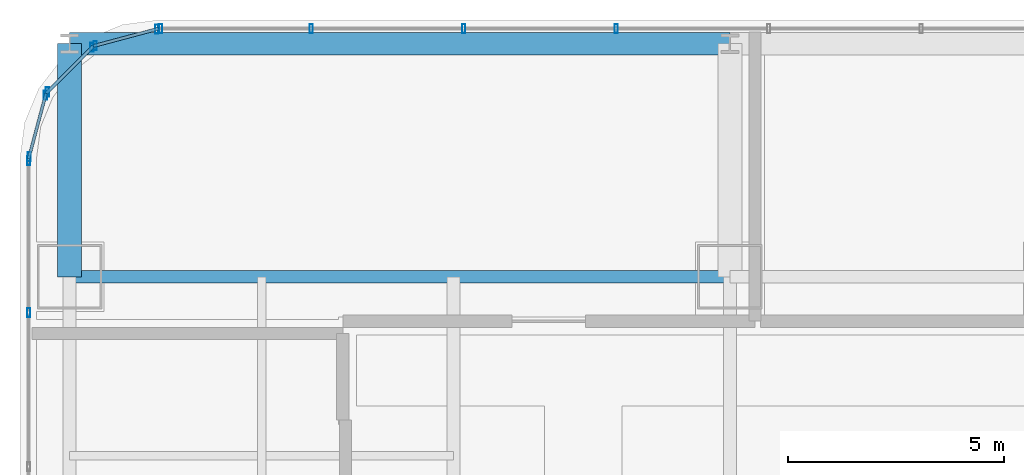
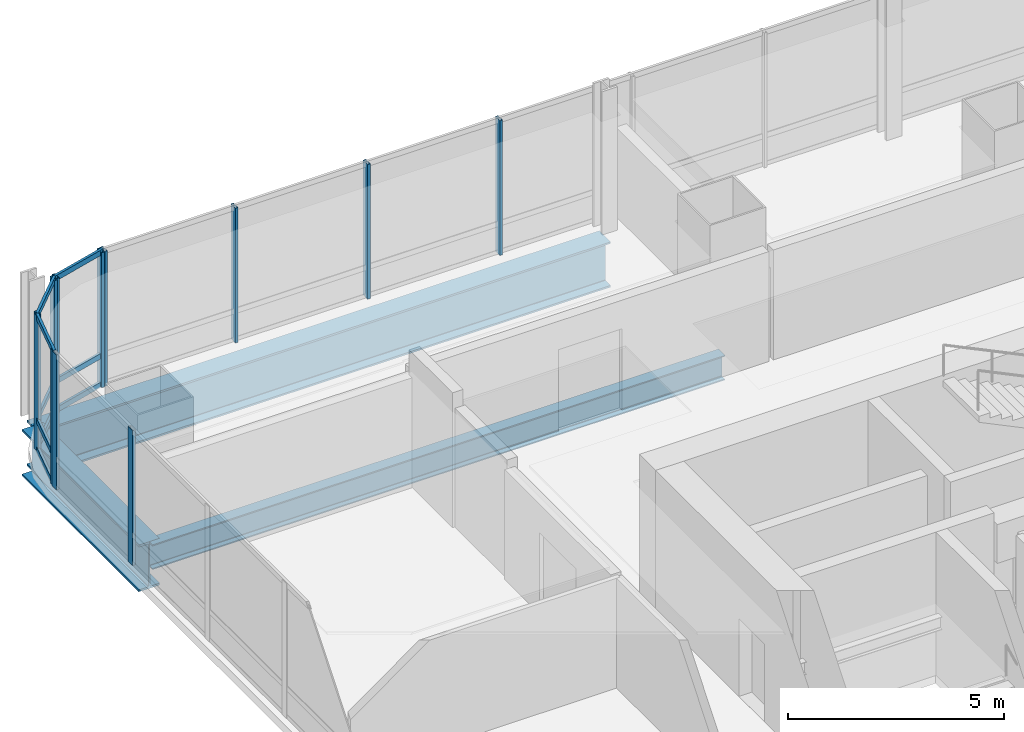
# One storey, part 19 of 34: 21 members, 3 beams, 5 elements without a shape of their own.
"""IFC4 building model written with IfcOpenShell, lengths in metres."""

from ifc_helpers import new_model, si_unit, direction, frame, origin, origin_2d, place, context, subcontext, project, spatial, hollow_rectangle, i_section, extrude, material, material_profile, profile_set, type_object, element, aggregate, save


model = new_model("IFC4")

# Units and contexts
model_context = context("Model", 3, precision=1e-05, world=origin(), true_north=direction((0.0, 1.0)))
body_context = subcontext(model_context, "Body", "Model", "MODEL_VIEW")
ifc_project = project(units=[si_unit("LENGTHUNIT", "METRE"), si_unit("AREAUNIT", "SQUARE_METRE"), si_unit("VOLUMEUNIT", "CUBIC_METRE"), si_unit("PLANEANGLEUNIT", "RADIAN"), si_unit("MASSUNIT", "GRAM", prefix="KILO")], contexts=[model_context])

# Site, building, storey
site_placement = place(None, origin())
site = spatial("IfcSite", under=ifc_project, at=site_placement, CompositionType="ELEMENT")
building_placement = place(site_placement, origin())
building = spatial("IfcBuilding", under=site, at=building_placement, Name="Punatoya Terracotta Tower", CompositionType="ELEMENT")
storey_placement = place(building_placement, frame((0.0, 0.0, 97.050048828125)))
storey = spatial("IfcBuildingStorey", under=building, at=storey_placement, Name="L22", CompositionType="ELEMENT", Elevation=97.050048828125)

# Beams
ifc_material_1 = material(Name="Steel S355", Category="steel")
ifc_material_profile_1 = material_profile(ifc_material_1, i_section(OverallWidth=0.300048828125, OverallDepth=0.699951171875, WebThickness=0.01708984375, FlangeThickness=0.031982421875, FilletRadius=0.01806640625, at=origin_2d()))
ifc_profile_set_1 = profile_set([ifc_material_profile_1], Name="Steel S355")
beam_type_1 = type_object("IfcBeamType", Name="BM-PRI-700", PredefinedType="BEAM", material=ifc_profile_set_1)
beam_1_placement = place(storey_placement, frame((-19.10009765625, 17.5, -0.590087890625), z_axis=(1.0, 0.0, 0.0), x_axis=(0.0, 1.0, 0.0)))
element("IfcBeam", 1, at=beam_1_placement, inside=storey, type_object=beam_type_1, Name="BM-L22-RG-N1", PredefinedType="BEAM", context=body_context, shape_type="SweptSolid", body=[
    extrude(i_section(OverallWidth=0.300048828125, OverallDepth=0.699951171875, WebThickness=0.01708984375, FlangeThickness=0.031982421875, FilletRadius=0.01806640625, at=origin_2d()), origin(), (0.0, 0.0, 1.0), 15.300048828125),
])
ifc_material_2 = material(Name="Steel S460", Category="steel")
ifc_material_profile_2 = material_profile(ifc_material_2, i_section(OverallWidth=0.56005859375, OverallDepth=1.320068359375, WebThickness=0.035888671875, FlangeThickness=0.054931640625, FilletRadius=0.01806640625, at=origin_2d()))
ifc_profile_set_2 = profile_set([ifc_material_profile_2], Name="Steel S460")
beam_type_2 = type_object("IfcBeamType", Name="BM-TG-BLK", PredefinedType="BEAM", material=ifc_profile_set_2)
beam_2_placement = place(storey_placement, frame((-19.10009765625, 17.5, -0.900146484375), z_axis=(0.0, 1.0, 0.0), x_axis=(-1.0, 0.0, 0.0)))
element("IfcBeam", 2, at=beam_2_placement, inside=storey, type_object=beam_type_2, Name="BM-L22-CANT-N1", PredefinedType="BEAM", context=body_context, shape_type="SweptSolid", body=[
    extrude(i_section(OverallWidth=0.56005859375, OverallDepth=1.320068359375, WebThickness=0.035888671875, FlangeThickness=0.054931640625, FilletRadius=0.01806640625, at=origin_2d()), origin(), (0.0, 0.0, 1.0), 5.39990234375),
])
ifc_material_profile_3 = material_profile(ifc_material_2, i_section(OverallWidth=0.52001953125, OverallDepth=1.280029296875, WebThickness=0.031982421875, FlangeThickness=0.050048828125, FilletRadius=0.01806640625, at=origin_2d()))
ifc_profile_set_3 = profile_set([ifc_material_profile_3], Name="Steel S460")
beam_type_3 = type_object("IfcBeamType", Name="BM-TG-NCK", PredefinedType="BEAM", material=ifc_profile_set_3)
beam_3_placement = place(storey_placement, frame((-19.10009765625, 22.89990234375, -0.880126953125), z_axis=(1.0, 0.0, 0.0), x_axis=(0.0, 1.0, 0.0)))
element("IfcBeam", 3, at=beam_3_placement, inside=storey, type_object=beam_type_3, Name="BM-L22-PER-N1", PredefinedType="BEAM", context=body_context, shape_type="SweptSolid", body=[
    extrude(i_section(OverallWidth=0.52001953125, OverallDepth=1.280029296875, WebThickness=0.031982421875, FlangeThickness=0.050048828125, FilletRadius=0.01806640625, at=origin_2d()), origin(), (0.0, 0.0, 1.0), 15.300048828125),
])

# Curtain wall, members
ifc_material_3 = material(Name="Aluminium 6063-T6 + Double Low-E Glass", Category="aluminium")
curtain_wall_type = type_object("IfcCurtainWallType", Name="CW-M1", PredefinedType="NOTDEFINED", material=ifc_material_3)
curtain_wall_1_placement = place(storey_placement, origin())
curtain_wall_1 = element("IfcCurtainWall", 4, at=curtain_wall_1_placement, inside=storey, type_object=curtain_wall_type, Name="L22 Curtain Wall CW-L22-N09-1", PredefinedType="NOTDEFINED")
ifc_material_4 = material(Name="Aluminium 6063-T6", Category="aluminium")
ifc_material_profile_4 = material_profile(ifc_material_4, hollow_rectangle(XDim=0.074951171875, YDim=0.2099609375, WallThickness=0.00439453125, at=origin_2d()))
ifc_profile_set_4 = profile_set([ifc_material_profile_4], Name="Aluminium 6063-T6")
member_type_1 = type_object("IfcMemberType", Name="CW-MUL-M1", PredefinedType="MULLION", material=ifc_profile_set_4)
member_1_placement = place(storey_placement, frame((-6.43505859375, 23.25, 0.0), z_axis=(0.0, 0.0, 1.0), x_axis=(1.0, 0.0, 0.0)))
member_1 = element("IfcMember", 5, at=member_1_placement, type_object=member_type_1, Name="CW-L22-N09-1 Mullion 08", PredefinedType="MULLION", context=body_context, shape_type="SweptSolid", body=[
    extrude(hollow_rectangle(XDim=0.074951171875, YDim=0.2099609375, WallThickness=0.00439453125, at=origin_2d()), origin(), (0.0, 0.0, 1.0), 3.81005859375),
])
member_2_placement = place(storey_placement, frame((-9.968994140625, 23.25, 0.0), z_axis=(0.0, 0.0, 1.0), x_axis=(1.0, 0.0, 0.0)))
member_2 = element("IfcMember", 6, at=member_2_placement, type_object=member_type_1, Name="CW-L22-N09-1 Mullion 09", PredefinedType="MULLION", context=body_context, shape_type="SweptSolid", body=[
    extrude(hollow_rectangle(XDim=0.074951171875, YDim=0.2099609375, WallThickness=0.00439453125, at=origin_2d()), origin(), (0.0, 0.0, 1.0), 3.81005859375),
])
member_3_placement = place(storey_placement, frame((-13.5029296875, 23.25, 0.0), z_axis=(0.0, 0.0, 1.0), x_axis=(1.0, 0.0, 0.0)))
member_3 = element("IfcMember", 7, at=member_3_placement, type_object=member_type_1, Name="CW-L22-N09-1 Mullion 10", PredefinedType="MULLION", context=body_context, shape_type="SweptSolid", body=[
    extrude(hollow_rectangle(XDim=0.074951171875, YDim=0.2099609375, WallThickness=0.00439453125, at=origin_2d()), origin(), (0.0, 0.0, 1.0), 3.81005859375),
])
member_4_placement = place(storey_placement, frame((-16.991943359375, 23.25, 0.0), z_axis=(0.0, 0.0, 1.0), x_axis=(1.0, 0.0, 0.0)))
member_4 = element("IfcMember", 8, at=member_4_placement, type_object=member_type_1, Name="CW-L22-N09-1 Mullion 11", PredefinedType="MULLION", context=body_context, shape_type="SweptSolid", body=[
    extrude(hollow_rectangle(XDim=0.074951171875, YDim=0.2099609375, WallThickness=0.00439453125, at=origin_2d()), origin(), (0.0, 0.0, 1.0), 3.81005859375),
])
aggregate(curtain_wall_1, [member_1, member_2, member_3, member_4])

curtain_wall_2_placement = place(storey_placement, origin())
curtain_wall_2 = element("IfcCurtainWall", 9, at=curtain_wall_2_placement, inside=storey, type_object=curtain_wall_type, Name="L22 Curtain Wall CW-L22-CRN10", PredefinedType="NOTDEFINED")
member_5_placement = place(storey_placement, frame((-17.080322265625, 23.23828125, 0.0), z_axis=(0.0, 0.0, 1.0), x_axis=(1.0, 0.0, 0.0)))
member_5 = element("IfcMember", 10, at=member_5_placement, type_object=member_type_1, Name="CW-L22-CRN10 Mullion 00", PredefinedType="MULLION", context=body_context, shape_type="SweptSolid", body=[
    extrude(hollow_rectangle(XDim=0.074951171875, YDim=0.2099609375, WallThickness=0.00439453125, at=origin_2d()), origin(), (0.0, 0.0, 1.0), 3.81005859375),
])
member_6_placement = place(storey_placement, frame((-18.505615234375, 22.858154296875, 0.0), z_axis=(0.0, 0.0, 1.0), x_axis=(1.0, 0.0, 0.0)))
member_6 = element("IfcMember", 11, at=member_6_placement, type_object=member_type_1, Name="CW-L22-CRN10 Mullion 01", PredefinedType="MULLION", context=body_context, shape_type="SweptSolid", body=[
    extrude(hollow_rectangle(XDim=0.074951171875, YDim=0.2099609375, WallThickness=0.00439453125, at=origin_2d()), origin(), (0.0, 0.0, 1.0), 3.81005859375),
])

curtain_wall_3_placement = place(storey_placement, origin())
curtain_wall_3 = element("IfcCurtainWall", 12, at=curtain_wall_3_placement, inside=storey, type_object=curtain_wall_type, Name="L22 Curtain Wall CW-L22-CRN11", PredefinedType="NOTDEFINED")
member_7_placement = place(storey_placement, frame((-18.580810546875, 22.814697265625, 0.0), z_axis=(0.0, 0.0, 1.0), x_axis=(1.0, 0.0, 0.0)))
member_7 = element("IfcMember", 13, at=member_7_placement, type_object=member_type_1, Name="CW-L22-CRN11 Mullion 00", PredefinedType="MULLION", context=body_context, shape_type="SweptSolid", body=[
    extrude(hollow_rectangle(XDim=0.074951171875, YDim=0.2099609375, WallThickness=0.00439453125, at=origin_2d()), origin(), (0.0, 0.0, 1.0), 3.81005859375),
])
member_8_placement = place(storey_placement, frame((-19.61474609375, 21.781005859375, 0.0), z_axis=(0.0, 0.0, 1.0), x_axis=(1.0, 0.0, 0.0)))
member_8 = element("IfcMember", 14, at=member_8_placement, type_object=member_type_1, Name="CW-L22-CRN11 Mullion 01", PredefinedType="MULLION", context=body_context, shape_type="SweptSolid", body=[
    extrude(hollow_rectangle(XDim=0.074951171875, YDim=0.2099609375, WallThickness=0.00439453125, at=origin_2d()), origin(), (0.0, 0.0, 1.0), 3.81005859375),
])

curtain_wall_4_placement = place(storey_placement, origin())
curtain_wall_4 = element("IfcCurtainWall", 15, at=curtain_wall_4_placement, inside=storey, type_object=curtain_wall_type, Name="L22 Curtain Wall CW-L22-CRN12", PredefinedType="NOTDEFINED")
member_9_placement = place(storey_placement, frame((-19.658203125, 21.70556640625, 0.0), z_axis=(0.0, 0.0, 1.0), x_axis=(1.0, 0.0, 0.0)))
member_9 = element("IfcMember", 16, at=member_9_placement, type_object=member_type_1, Name="CW-L22-CRN12 Mullion 00", PredefinedType="MULLION", context=body_context, shape_type="SweptSolid", body=[
    extrude(hollow_rectangle(XDim=0.074951171875, YDim=0.2099609375, WallThickness=0.00439453125, at=origin_2d()), origin(), (0.0, 0.0, 1.0), 3.81005859375),
])
member_10_placement = place(storey_placement, frame((-20.038330078125, 20.280517578125, 0.0), z_axis=(0.0, 0.0, 1.0), x_axis=(1.0, 0.0, 0.0)))
member_10 = element("IfcMember", 17, at=member_10_placement, type_object=member_type_1, Name="CW-L22-CRN12 Mullion 01", PredefinedType="MULLION", context=body_context, shape_type="SweptSolid", body=[
    extrude(hollow_rectangle(XDim=0.074951171875, YDim=0.2099609375, WallThickness=0.00439453125, at=origin_2d()), origin(), (0.0, 0.0, 1.0), 3.81005859375),
])

curtain_wall_5_placement = place(storey_placement, origin())
curtain_wall_5 = element("IfcCurtainWall", 18, at=curtain_wall_5_placement, inside=storey, type_object=curtain_wall_type, Name="L22 Curtain Wall CW-L22-W13-1", PredefinedType="NOTDEFINED")
member_11_placement = place(storey_placement, frame((-20.050048828125, 20.19189453125, 0.0), z_axis=(0.0, 0.0, 1.0), x_axis=(1.0, 0.0, 0.0)))
member_11 = element("IfcMember", 19, at=member_11_placement, type_object=member_type_1, Name="CW-L22-W13-1 Mullion 00", PredefinedType="MULLION", context=body_context, shape_type="SweptSolid", body=[
    extrude(hollow_rectangle(XDim=0.074951171875, YDim=0.2099609375, WallThickness=0.00439453125, at=origin_2d()), origin(), (0.0, 0.0, 1.0), 3.81005859375),
])
member_12_placement = place(storey_placement, frame((-20.050048828125, 16.66943359375, 0.0), z_axis=(0.0, 0.0, 1.0), x_axis=(1.0, 0.0, 0.0)))
member_12 = element("IfcMember", 20, at=member_12_placement, type_object=member_type_1, Name="CW-L22-W13-1 Mullion 01", PredefinedType="MULLION", context=body_context, shape_type="SweptSolid", body=[
    extrude(hollow_rectangle(XDim=0.074951171875, YDim=0.2099609375, WallThickness=0.00439453125, at=origin_2d()), origin(), (0.0, 0.0, 1.0), 3.81005859375),
])
aggregate(curtain_wall_5, [member_11, member_12])

# Member
ifc_material_profile_5 = material_profile(ifc_material_4, hollow_rectangle(XDim=0.068115234375, YDim=0.14990234375, WallThickness=0.00390625, at=origin_2d()))
ifc_profile_set_5 = profile_set([ifc_material_profile_5], Name="Aluminium 6063-T6")
member_type_2 = type_object("IfcMemberType", Name="CW-TRN-TYP", PredefinedType="USERDEFINED", material=ifc_profile_set_5)
member_13_placement = place(storey_placement, frame((-17.036865234375, 23.25, 0.0400390625), z_axis=(-0.966224582397, -0.257701486942, 0.0), x_axis=(0.257701486942, -0.966224582397, 0.0)))
member_13 = element("IfcMember", 21, at=member_13_placement, type_object=member_type_2, Name="CW-L22-CRN10 Transom 1", ObjectType="TRANSOM", PredefinedType="USERDEFINED", context=body_context, shape_type="SweptSolid", body=[
    extrude(hollow_rectangle(XDim=0.068115234375, YDim=0.14990234375, WallThickness=0.00390625, at=origin_2d()), origin(), (0.0, 0.0, 1.0), 1.565185546875),
])

member_14_placement = place(storey_placement, frame((-17.036865234375, 23.25, 0.849853515625), z_axis=(-0.966224582397, -0.257701486942, 0.0), x_axis=(0.257701486942, -0.966224582397, 0.0)))
member_14 = element("IfcMember", 22, at=member_14_placement, type_object=member_type_2, Name="CW-L22-CRN10 Transom 2", ObjectType="TRANSOM", PredefinedType="USERDEFINED", context=body_context, shape_type="SweptSolid", body=[
    extrude(hollow_rectangle(XDim=0.068115234375, YDim=0.14990234375, WallThickness=0.00390625, at=origin_2d()), origin(), (0.0, 0.0, 1.0), 1.565185546875),
])

member_15_placement = place(storey_placement, frame((-17.036865234375, 23.25, 3.77001953125), z_axis=(-0.966224582397, -0.257701486942, 0.0), x_axis=(0.257701486942, -0.966224582397, 0.0)))
member_15 = element("IfcMember", 23, at=member_15_placement, type_object=member_type_2, Name="CW-L22-CRN10 Transom 3", ObjectType="TRANSOM", PredefinedType="USERDEFINED", context=body_context, shape_type="SweptSolid", body=[
    extrude(hollow_rectangle(XDim=0.068115234375, YDim=0.14990234375, WallThickness=0.00390625, at=origin_2d()), origin(), (0.0, 0.0, 1.0), 1.565185546875),
])

aggregate(curtain_wall_2, [member_5, member_6, member_13, member_14, member_15])

member_16_placement = place(storey_placement, frame((-18.549072265625, 22.8466796875, 0.0400390625), z_axis=(-0.707028130747, -0.707185422879, 0.0), x_axis=(0.707185422879, -0.707028130747, 0.0)))
member_16 = element("IfcMember", 24, at=member_16_placement, type_object=member_type_2, Name="CW-L22-CRN11 Transom 1", ObjectType="TRANSOM", PredefinedType="USERDEFINED", context=body_context, shape_type="SweptSolid", body=[
    extrude(hollow_rectangle(XDim=0.068115234375, YDim=0.14990234375, WallThickness=0.00390625, at=origin_2d()), origin(), (0.0, 0.0, 1.0), 1.55224609375),
])

member_17_placement = place(storey_placement, frame((-18.549072265625, 22.8466796875, 0.849853515625), z_axis=(-0.707028130747, -0.707185422879, 0.0), x_axis=(0.707185422879, -0.707028130747, 0.0)))
member_17 = element("IfcMember", 25, at=member_17_placement, type_object=member_type_2, Name="CW-L22-CRN11 Transom 2", ObjectType="TRANSOM", PredefinedType="USERDEFINED", context=body_context, shape_type="SweptSolid", body=[
    extrude(hollow_rectangle(XDim=0.068115234375, YDim=0.14990234375, WallThickness=0.00390625, at=origin_2d()), origin(), (0.0, 0.0, 1.0), 1.55224609375),
])

member_18_placement = place(storey_placement, frame((-18.549072265625, 22.8466796875, 3.77001953125), z_axis=(-0.707028130747, -0.707185422879, 0.0), x_axis=(0.707185422879, -0.707028130747, 0.0)))
member_18 = element("IfcMember", 26, at=member_18_placement, type_object=member_type_2, Name="CW-L22-CRN11 Transom 3", ObjectType="TRANSOM", PredefinedType="USERDEFINED", context=body_context, shape_type="SweptSolid", body=[
    extrude(hollow_rectangle(XDim=0.068115234375, YDim=0.14990234375, WallThickness=0.00390625, at=origin_2d()), origin(), (0.0, 0.0, 1.0), 1.55224609375),
])

aggregate(curtain_wall_3, [member_7, member_8, member_16, member_17, member_18])

member_19_placement = place(storey_placement, frame((-19.646484375, 21.7490234375, 0.0400390625), z_axis=(-0.257847112249, -0.966185730957, 0.0), x_axis=(0.966185730957, -0.257847112249, 0.0)))
member_19 = element("IfcMember", 27, at=member_19_placement, type_object=member_type_2, Name="CW-L22-CRN12 Transom 1", ObjectType="TRANSOM", PredefinedType="USERDEFINED", context=body_context, shape_type="SweptSolid", body=[
    extrude(hollow_rectangle(XDim=0.068115234375, YDim=0.14990234375, WallThickness=0.00390625, at=origin_2d()), origin(), (0.0, 0.0, 1.0), 1.565185546875),
])

member_20_placement = place(storey_placement, frame((-19.646484375, 21.7490234375, 0.849853515625), z_axis=(-0.257847112249, -0.966185730957, 0.0), x_axis=(0.966185730957, -0.257847112249, 0.0)))
member_20 = element("IfcMember", 28, at=member_20_placement, type_object=member_type_2, Name="CW-L22-CRN12 Transom 2", ObjectType="TRANSOM", PredefinedType="USERDEFINED", context=body_context, shape_type="SweptSolid", body=[
    extrude(hollow_rectangle(XDim=0.068115234375, YDim=0.14990234375, WallThickness=0.00390625, at=origin_2d()), origin(), (0.0, 0.0, 1.0), 1.565185546875),
])

member_21_placement = place(storey_placement, frame((-19.646484375, 21.7490234375, 3.77001953125), z_axis=(-0.257847112249, -0.966185730957, 0.0), x_axis=(0.966185730957, -0.257847112249, 0.0)))
member_21 = element("IfcMember", 29, at=member_21_placement, type_object=member_type_2, Name="CW-L22-CRN12 Transom 3", ObjectType="TRANSOM", PredefinedType="USERDEFINED", context=body_context, shape_type="SweptSolid", body=[
    extrude(hollow_rectangle(XDim=0.068115234375, YDim=0.14990234375, WallThickness=0.00390625, at=origin_2d()), origin(), (0.0, 0.0, 1.0), 1.565185546875),
])

aggregate(curtain_wall_4, [member_9, member_10, member_19, member_20, member_21])

save(model, "model.ifc")
